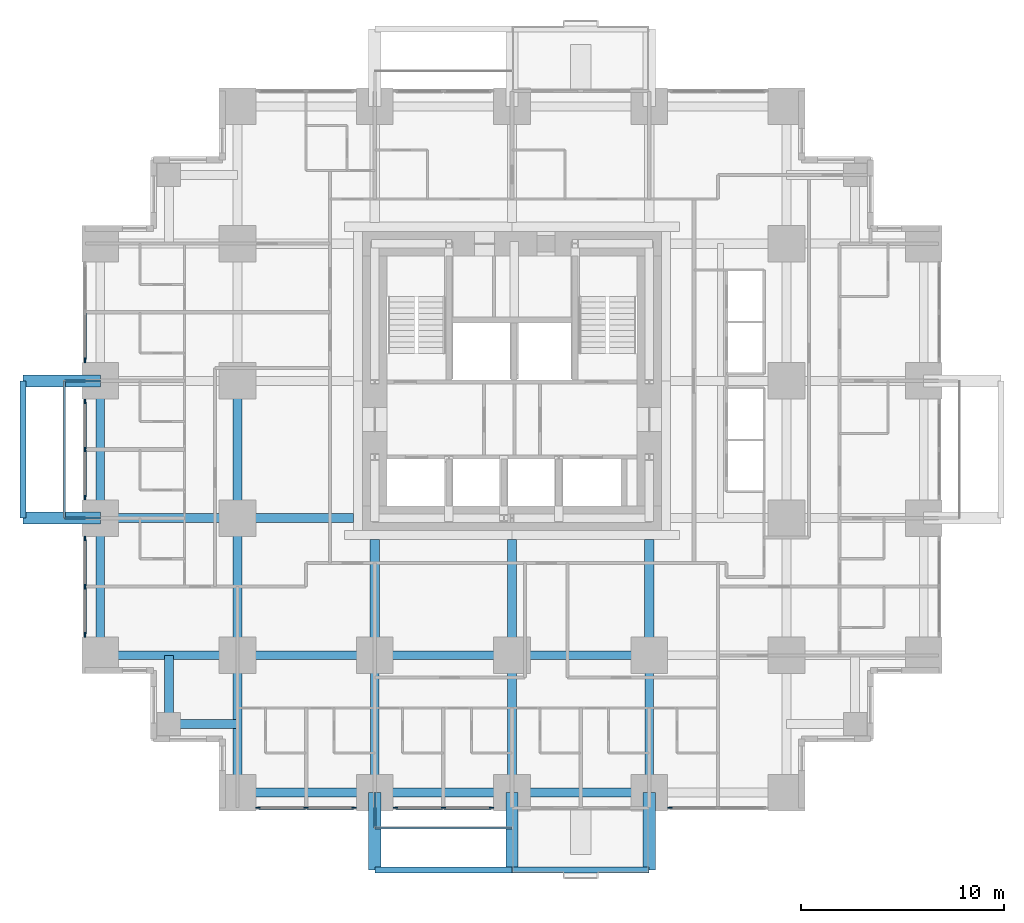
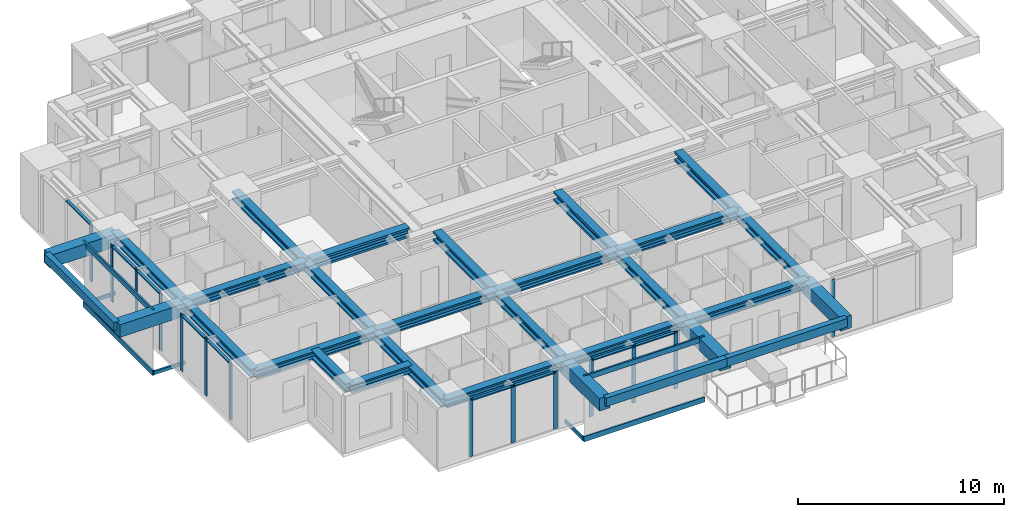
# One storey, part 2 of 13: 30 beams, 30 members, 6 elements without a shape of their own.
"""IFC4 building model written with IfcOpenShell, lengths in metres."""

from ifc_helpers import new_model, si_unit, direction, frame, origin, origin_2d, place, context, subcontext, project, spatial, rectangle, hollow_rectangle, i_section, extrude, material, material_profile, profile_set, type_object, element, aggregate, save


model = new_model("IFC4")

# Units and contexts
model_context = context("Model", 3, precision=1e-05, world=origin(), true_north=direction((0.0, 1.0)))
body_context = subcontext(model_context, "Body", "Model", "MODEL_VIEW")
ifc_project = project(units=[si_unit("LENGTHUNIT", "METRE"), si_unit("AREAUNIT", "SQUARE_METRE"), si_unit("VOLUMEUNIT", "CUBIC_METRE"), si_unit("PLANEANGLEUNIT", "RADIAN"), si_unit("MASSUNIT", "GRAM", prefix="KILO")], contexts=[model_context])

# Site, building, storey
site_placement = place(None, origin())
site = spatial("IfcSite", under=ifc_project, at=site_placement, CompositionType="ELEMENT")
building_placement = place(site_placement, origin())
building = spatial("IfcBuilding", under=site, at=building_placement, Name="Nyansa Garden Tower", CompositionType="ELEMENT")
storey_placement = place(building_placement, frame((0.0, 0.0, 105.300048828125)))
storey = spatial("IfcBuildingStorey", under=building, at=storey_placement, Name="L28", CompositionType="ELEMENT", Elevation=105.300048828125)

# Beams
ifc_material_1 = material(Name="Concrete C70/85", Category="concrete")
ifc_material_profile_1 = material_profile(ifc_material_1, rectangle(XDim=0.60009765625, YDim=0.75, at=origin_2d()), Name="RC 600x750")
ifc_profile_set_1 = profile_set([ifc_material_profile_1], Name="Concrete C70/85")
beam_type_1 = type_object("IfcBeamType", Name="Balcony cantilever beam CB1 RC 600x750", PredefinedType="BEAM", material=ifc_profile_set_1)
for number, where, z_axis, x_axis, name in (
    (1, (13.5, 0.0, 2.98486328125), (0.0, -1.0, 0.0), (1.0, 0.0, 0.0), "Balcony cantilever beam L29"),
    (2, (20.25, 0.0, 2.98486328125), (0.0, -1.0, 0.0), (1.0, 0.0, 0.0), "Balcony cantilever beam L29"),
    (3, (27.0, 0.0, 2.98486328125), (0.0, -1.0, 0.0), (1.0, 0.0, 0.0), "Balcony cantilever beam L29"),
    (4, (0.0, 13.5, 2.98486328125), (-1.0, 0.0, 0.0), (0.0, -1.0, 0.0), "Balcony cantilever beam L29"),
    (5, (0.0, 20.25, 2.98486328125), (-1.0, 0.0, 0.0), (0.0, -1.0, 0.0), "Balcony cantilever beam L29"),
):
    element("IfcBeam", number, at=place(storey_placement, frame(where, z_axis=z_axis, x_axis=x_axis)), inside=storey, type_object=beam_type_1, Name=name, PredefinedType="BEAM", context=body_context, shape_type="SweptSolid", body=[
        extrude(rectangle(XDim=0.60009765625, YDim=0.75, at=origin_2d()), origin(), (0.0, 0.0, 1.0), 3.800048828125),
    ])
ifc_material_2 = material(Name="Concrete C70/85", Category="concrete")
ifc_material_profile_2 = material_profile(ifc_material_2, rectangle(XDim=0.300048828125, YDim=0.5, at=origin_2d()), Name="RC 300x500")
ifc_profile_set_2 = profile_set([ifc_material_profile_2], Name="Concrete C70/85")
beam_type_2 = type_object("IfcBeamType", Name="Balcony edge beam BE1 RC 300x500", PredefinedType="BEAM", material=ifc_profile_set_2)
for number, where, z_axis, x_axis, name in (
    (6, (13.5, -3.800048828125, 3.10986328125), (1.0, 0.0, 0.0), (0.0, 1.0, 0.0), "Balcony edge beam L29"),
    (7, (20.25, -3.800048828125, 3.10986328125), (1.0, 0.0, 0.0), (0.0, 1.0, 0.0), "Balcony edge beam L29"),
    (8, (-3.800048828125, 13.5, 3.10986328125), (0.0, 1.0, 0.0), (-1.0, 0.0, 0.0), "Balcony edge beam L29"),
):
    element("IfcBeam", number, at=place(storey_placement, frame(where, z_axis=z_axis, x_axis=x_axis)), inside=storey, type_object=beam_type_2, Name=name, PredefinedType="BEAM", context=body_context, shape_type="SweptSolid", body=[
        extrude(rectangle(XDim=0.300048828125, YDim=0.5, at=origin_2d()), origin(), (0.0, 0.0, 1.0), 6.75),
    ])

# Curtain wall, member
ifc_material_3 = material(Name="Black anodised aluminium, dark tinted double glazing", Category="aluminium")
curtain_wall_type = type_object("IfcCurtainWallType", Name="Inner skin curtain wall ISW-B", PredefinedType="USERDEFINED", material=ifc_material_3)
curtain_wall_1_placement = place(storey_placement, origin())
curtain_wall_1 = element("IfcCurtainWall", 9, at=curtain_wall_1_placement, inside=storey, type_object=curtain_wall_type, Name="Inner skin curtain wall L28 W", ObjectType="UNITISED CURTAIN WALL", PredefinedType="USERDEFINED")
ifc_material_4 = material(Name="Black anodised aluminium", Category="aluminium")
ifc_material_profile_3 = material_profile(ifc_material_4, rectangle(XDim=0.06494140625, YDim=0.22509765625, at=origin_2d()), Name="Mullion 225x65")
ifc_profile_set_3 = profile_set([ifc_material_profile_3], Name="Black anodised aluminium")
member_type_1 = type_object("IfcMemberType", Name="Mullion ISW-B 225x65", PredefinedType="MULLION", material=ifc_profile_set_3)
member_1_placement = place(storey_placement, frame((-0.75, 21.262451171875, 0.0), z_axis=(0.0, 0.0, 1.0), x_axis=(1.0, 0.0, 0.0)))
member_1 = element("IfcMember", 10, at=member_1_placement, type_object=member_type_1, Name="ISW-B mullion 3", PredefinedType="MULLION", context=body_context, shape_type="SweptSolid", body=[
    extrude(rectangle(XDim=0.06494140625, YDim=0.22509765625, at=origin_2d()), origin(), (0.0, 0.0, 1.0), 3.375),
])

# Curtain wall, members
curtain_wall_2_placement = place(storey_placement, origin())
curtain_wall_2 = element("IfcCurtainWall", 11, at=curtain_wall_2_placement, inside=storey, type_object=curtain_wall_type, Name="Inner skin curtain wall L28 W", ObjectType="UNITISED CURTAIN WALL", PredefinedType="USERDEFINED")
member_2_placement = place(storey_placement, frame((-0.75, 19.237548828125, 0.0), z_axis=(0.0, 0.0, 1.0), x_axis=(1.0, 0.0, 0.0)))
member_2 = element("IfcMember", 12, at=member_2_placement, type_object=member_type_1, Name="ISW-B mullion 1", PredefinedType="MULLION", context=body_context, shape_type="SweptSolid", body=[
    extrude(rectangle(XDim=0.06494140625, YDim=0.22509765625, at=origin_2d()), origin(), (0.0, 0.0, 1.0), 3.375),
])
member_3_placement = place(storey_placement, frame((-0.75, 16.875, 0.0), z_axis=(0.0, 0.0, 1.0), x_axis=(1.0, 0.0, 0.0)))
member_3 = element("IfcMember", 13, at=member_3_placement, type_object=member_type_1, Name="ISW-B mullion 2", PredefinedType="MULLION", context=body_context, shape_type="SweptSolid", body=[
    extrude(rectangle(XDim=0.06494140625, YDim=0.22509765625, at=origin_2d()), origin(), (0.0, 0.0, 1.0), 3.375),
])
member_4_placement = place(storey_placement, frame((-0.75, 14.512451171875, 0.0), z_axis=(0.0, 0.0, 1.0), x_axis=(1.0, 0.0, 0.0)))
member_4 = element("IfcMember", 14, at=member_4_placement, type_object=member_type_1, Name="ISW-B mullion 3", PredefinedType="MULLION", context=body_context, shape_type="SweptSolid", body=[
    extrude(rectangle(XDim=0.06494140625, YDim=0.22509765625, at=origin_2d()), origin(), (0.0, 0.0, 1.0), 3.375),
])

curtain_wall_3_placement = place(storey_placement, origin())
curtain_wall_3 = element("IfcCurtainWall", 15, at=curtain_wall_3_placement, inside=storey, type_object=curtain_wall_type, Name="Inner skin curtain wall L28 W", ObjectType="UNITISED CURTAIN WALL", PredefinedType="USERDEFINED")
member_5_placement = place(storey_placement, frame((-0.75, 12.487548828125, 0.0), z_axis=(0.0, 0.0, 1.0), x_axis=(1.0, 0.0, 0.0)))
member_5 = element("IfcMember", 16, at=member_5_placement, type_object=member_type_1, Name="ISW-B mullion 1", PredefinedType="MULLION", context=body_context, shape_type="SweptSolid", body=[
    extrude(rectangle(XDim=0.06494140625, YDim=0.22509765625, at=origin_2d()), origin(), (0.0, 0.0, 1.0), 3.375),
])
member_6_placement = place(storey_placement, frame((-0.75, 10.125, 0.0), z_axis=(0.0, 0.0, 1.0), x_axis=(1.0, 0.0, 0.0)))
member_6 = element("IfcMember", 17, at=member_6_placement, type_object=member_type_1, Name="ISW-B mullion 2", PredefinedType="MULLION", context=body_context, shape_type="SweptSolid", body=[
    extrude(rectangle(XDim=0.06494140625, YDim=0.22509765625, at=origin_2d()), origin(), (0.0, 0.0, 1.0), 3.375),
])
member_7_placement = place(storey_placement, frame((-0.75, 7.762451171875, 0.0), z_axis=(0.0, 0.0, 1.0), x_axis=(1.0, 0.0, 0.0)))
member_7 = element("IfcMember", 18, at=member_7_placement, type_object=member_type_1, Name="ISW-B mullion 3", PredefinedType="MULLION", context=body_context, shape_type="SweptSolid", body=[
    extrude(rectangle(XDim=0.06494140625, YDim=0.22509765625, at=origin_2d()), origin(), (0.0, 0.0, 1.0), 3.375),
])

curtain_wall_4_placement = place(storey_placement, origin())
curtain_wall_4 = element("IfcCurtainWall", 19, at=curtain_wall_4_placement, inside=storey, type_object=curtain_wall_type, Name="Inner skin curtain wall L28 S", ObjectType="UNITISED CURTAIN WALL", PredefinedType="USERDEFINED")
member_8_placement = place(storey_placement, frame((7.762451171875, -0.75, 0.0), z_axis=(0.0, 0.0, 1.0), x_axis=(0.0, 1.0, 0.0)))
member_8 = element("IfcMember", 20, at=member_8_placement, type_object=member_type_1, Name="ISW-B mullion 1", PredefinedType="MULLION", context=body_context, shape_type="SweptSolid", body=[
    extrude(rectangle(XDim=0.06494140625, YDim=0.22509765625, at=origin_2d()), origin(), (0.0, 0.0, 1.0), 3.375),
])
member_9_placement = place(storey_placement, frame((10.125, -0.75, 0.0), z_axis=(0.0, 0.0, 1.0), x_axis=(0.0, 1.0, 0.0)))
member_9 = element("IfcMember", 21, at=member_9_placement, type_object=member_type_1, Name="ISW-B mullion 2", PredefinedType="MULLION", context=body_context, shape_type="SweptSolid", body=[
    extrude(rectangle(XDim=0.06494140625, YDim=0.22509765625, at=origin_2d()), origin(), (0.0, 0.0, 1.0), 3.375),
])
member_10_placement = place(storey_placement, frame((12.487548828125, -0.75, 0.0), z_axis=(0.0, 0.0, 1.0), x_axis=(0.0, 1.0, 0.0)))
member_10 = element("IfcMember", 22, at=member_10_placement, type_object=member_type_1, Name="ISW-B mullion 3", PredefinedType="MULLION", context=body_context, shape_type="SweptSolid", body=[
    extrude(rectangle(XDim=0.06494140625, YDim=0.22509765625, at=origin_2d()), origin(), (0.0, 0.0, 1.0), 3.375),
])

curtain_wall_5_placement = place(storey_placement, origin())
curtain_wall_5 = element("IfcCurtainWall", 23, at=curtain_wall_5_placement, inside=storey, type_object=curtain_wall_type, Name="Inner skin curtain wall L28 S", ObjectType="UNITISED CURTAIN WALL", PredefinedType="USERDEFINED")
member_11_placement = place(storey_placement, frame((14.512451171875, -0.75, 0.0), z_axis=(0.0, 0.0, 1.0), x_axis=(0.0, 1.0, 0.0)))
member_11 = element("IfcMember", 24, at=member_11_placement, type_object=member_type_1, Name="ISW-B mullion 1", PredefinedType="MULLION", context=body_context, shape_type="SweptSolid", body=[
    extrude(rectangle(XDim=0.06494140625, YDim=0.22509765625, at=origin_2d()), origin(), (0.0, 0.0, 1.0), 3.375),
])
member_12_placement = place(storey_placement, frame((16.875, -0.75, 0.0), z_axis=(0.0, 0.0, 1.0), x_axis=(0.0, 1.0, 0.0)))
member_12 = element("IfcMember", 25, at=member_12_placement, type_object=member_type_1, Name="ISW-B mullion 2", PredefinedType="MULLION", context=body_context, shape_type="SweptSolid", body=[
    extrude(rectangle(XDim=0.06494140625, YDim=0.22509765625, at=origin_2d()), origin(), (0.0, 0.0, 1.0), 3.375),
])
member_13_placement = place(storey_placement, frame((19.237548828125, -0.75, 0.0), z_axis=(0.0, 0.0, 1.0), x_axis=(0.0, 1.0, 0.0)))
member_13 = element("IfcMember", 26, at=member_13_placement, type_object=member_type_1, Name="ISW-B mullion 3", PredefinedType="MULLION", context=body_context, shape_type="SweptSolid", body=[
    extrude(rectangle(XDim=0.06494140625, YDim=0.22509765625, at=origin_2d()), origin(), (0.0, 0.0, 1.0), 3.375),
])

# Curtain wall, member
curtain_wall_6_placement = place(storey_placement, origin())
curtain_wall_6 = element("IfcCurtainWall", 27, at=curtain_wall_6_placement, inside=storey, type_object=curtain_wall_type, Name="Inner skin curtain wall L28 S", ObjectType="UNITISED CURTAIN WALL", PredefinedType="USERDEFINED")
member_14_placement = place(storey_placement, frame((28.012451171875, -0.75, 0.0), z_axis=(0.0, 0.0, 1.0), x_axis=(0.0, 1.0, 0.0)))
member_14 = element("IfcMember", 28, at=member_14_placement, type_object=member_type_1, Name="ISW-B mullion 1", PredefinedType="MULLION", context=body_context, shape_type="SweptSolid", body=[
    extrude(rectangle(XDim=0.06494140625, YDim=0.22509765625, at=origin_2d()), origin(), (0.0, 0.0, 1.0), 3.375),
])
aggregate(curtain_wall_6, [member_14])

# Members
ifc_material_5 = material(Name="Steel S355, black powder coated", Category="steel")
ifc_material_profile_4 = material_profile(ifc_material_5, hollow_rectangle(XDim=0.10009765625, YDim=0.199951171875, WallThickness=0.008056640625, at=origin_2d()), Name="RHS 200x100x8")
ifc_profile_set_4 = profile_set([ifc_material_profile_4], Name="Steel S355, black powder coated")
member_type_2 = type_object("IfcMemberType", Name="Outer skin bracket arm RHS 200x100x8", PredefinedType="USERDEFINED", material=ifc_profile_set_4)
for number, where, z_axis, x_axis, name in (
    (29, (0.0, 13.5, -0.375), (-1.0, 0.0, 0.0), (0.0, -1.0, 0.0), "Outer skin bracket arm"),
    (30, (0.0, 20.25, -0.375), (-1.0, 0.0, 0.0), (0.0, -1.0, 0.0), "Outer skin bracket arm"),
    (31, (13.5, 0.0, -0.375), (0.0, -1.0, 0.0), (1.0, 0.0, 0.0), "Outer skin bracket arm"),
):
    element("IfcMember", number, at=place(storey_placement, frame(where, z_axis=z_axis, x_axis=x_axis)), inside=storey, type_object=member_type_2, Name=name, ObjectType="OUTER SKIN BRACKET", PredefinedType="USERDEFINED", context=body_context, shape_type="SweptSolid", body=[
        extrude(hollow_rectangle(XDim=0.10009765625, YDim=0.199951171875, WallThickness=0.008056640625, at=origin_2d()), origin(), (0.0, 0.0, 1.0), 1.75),
    ])
ifc_material_6 = material(Name="Steel S355, black powder coated", Category="steel")
ifc_material_profile_5 = material_profile(ifc_material_6, hollow_rectangle(XDim=0.10009765625, YDim=0.300048828125, WallThickness=0.010009765625, at=origin_2d()), Name="RHS 300x100x10")
ifc_profile_set_5 = profile_set([ifc_material_profile_5], Name="Steel S355, black powder coated")
member_type_3 = type_object("IfcMemberType", Name="Outer skin rail RHS 300x100x10", PredefinedType="USERDEFINED", material=ifc_profile_set_5)
for number, where, z_axis, x_axis, name in (
    (32, (-1.75, 13.5, -0.375), (0.0, 1.0, 0.0), (-1.0, 0.0, 0.0), "Outer skin rail L28"),
    (33, (-1.75, 13.5, 3.224853515625), (0.0, 1.0, 0.0), (-1.0, 0.0, 0.0), "Outer skin rail L28 head"),
    (34, (13.5, -1.75, -0.375), (1.0, 0.0, 0.0), (0.0, 1.0, 0.0), "Outer skin rail L28"),
    (35, (13.5, -1.75, 3.224853515625), (1.0, 0.0, 0.0), (0.0, 1.0, 0.0), "Outer skin rail L28 head"),
):
    element("IfcMember", number, at=place(storey_placement, frame(where, z_axis=z_axis, x_axis=x_axis)), inside=storey, type_object=member_type_3, Name=name, ObjectType="OUTER SKIN RAIL", PredefinedType="USERDEFINED", context=body_context, shape_type="SweptSolid", body=[
        extrude(hollow_rectangle(XDim=0.10009765625, YDim=0.300048828125, WallThickness=0.010009765625, at=origin_2d()), origin(), (0.0, 0.0, 1.0), 6.75),
    ])

# Beams
ifc_material_7 = material(Name="Steel S355", Category="steel")
ifc_material_profile_6 = material_profile(ifc_material_7, i_section(OverallWidth=0.431884765625, OverallDepth=0.498046875, WebThickness=0.0556640625, FlangeThickness=0.0888671875, FilletRadius=0.014892578125, at=origin_2d()), Name="HD 400x744")
ifc_profile_set_6 = profile_set([ifc_material_profile_6], Name="Steel S355")
beam_type_3 = type_object("IfcBeamType", Name="Steel beam SBB1-744 HD 400x744", PredefinedType="BEAM", material=ifc_profile_set_6)
for number, where, z_axis, x_axis, name in (
    (36, (0.0, 6.75, 3.1259765625), (1.0, 0.0, 0.0), (0.0, 1.0, 0.0), "Steel beam 2/E-3/E L29"),
    (37, (0.0, 13.5, 3.1259765625), (1.0, 0.0, 0.0), (0.0, 1.0, 0.0), "Steel beam 2/F-3/F L29"),
    (38, (6.75, 0.0, 3.1259765625), (0.0, 1.0, 0.0), (-1.0, 0.0, 0.0), "Steel beam 3/D-3/E L29"),
    (39, (6.75, 6.75, 3.1259765625), (0.0, 1.0, 0.0), (-1.0, 0.0, 0.0), "Steel beam 3/E-3/F L29"),
    (40, (6.75, 6.75, 3.1259765625), (1.0, 0.0, 0.0), (0.0, 1.0, 0.0), "Steel beam 3/E-4/E L29"),
    (41, (6.75, 13.5, 3.1259765625), (0.0, 1.0, 0.0), (-1.0, 0.0, 0.0), "Steel beam 3/F-3/G L29"),
    (42, (13.5, 0.0, 3.1259765625), (0.0, 1.0, 0.0), (-1.0, 0.0, 0.0), "Steel beam 4/D-4/E L29"),
    (43, (13.5, 6.75, 3.1259765625), (1.0, 0.0, 0.0), (0.0, 1.0, 0.0), "Steel beam 4/E-5/E L29"),
    (44, (20.25, 0.0, 3.1259765625), (0.0, 1.0, 0.0), (-1.0, 0.0, 0.0), "Steel beam 5/D-5/E L29"),
    (45, (20.25, 6.75, 3.1259765625), (1.0, 0.0, 0.0), (0.0, 1.0, 0.0), "Steel beam 5/E-6/E L29"),
    (46, (27.0, 0.0, 3.1259765625), (0.0, 1.0, 0.0), (-1.0, 0.0, 0.0), "Steel beam 6/D-6/E L29"),
):
    element("IfcBeam", number, at=place(storey_placement, frame(where, z_axis=z_axis, x_axis=x_axis)), inside=storey, type_object=beam_type_3, Name=name, PredefinedType="BEAM", context=body_context, shape_type="SweptSolid", body=[
        extrude(i_section(OverallWidth=0.431884765625, OverallDepth=0.498046875, WebThickness=0.0556640625, FlangeThickness=0.0888671875, FilletRadius=0.014892578125, at=origin_2d()), origin(), (0.0, 0.0, 1.0), 6.75),
    ])
ifc_material_8 = material(Name="Steel S355", Category="steel")
ifc_material_profile_7 = material_profile(ifc_material_8, i_section(OverallWidth=0.4541015625, OverallDepth=0.569091796875, WebThickness=0.077880859375, FlangeThickness=0.125, FilletRadius=0.014892578125, at=origin_2d()), Name="HD 400x1086")
ifc_profile_set_7 = profile_set([ifc_material_profile_7], Name="Steel S355")
beam_type_4 = type_object("IfcBeamType", Name="Steel beam SCL-1086 HD 400x1086", PredefinedType="BEAM", material=ifc_profile_set_7)
for number, where, z_axis, x_axis, name in (
    (47, (6.75, 13.5, 3.09033203125), (1.0, 0.0, 0.0), (0.0, 1.0, 0.0), "Steel beam 3/F-12.450/F L29"),
    (48, (13.5, 6.75, 3.09033203125), (0.0, 1.0, 0.0), (-1.0, 0.0, 0.0), "Steel beam 4/E-4/12.450 L29"),
    (49, (20.25, 6.75, 3.09033203125), (0.0, 1.0, 0.0), (-1.0, 0.0, 0.0), "Steel beam 5/E-5/12.450 L29"),
    (50, (27.0, 6.75, 3.09033203125), (0.0, 1.0, 0.0), (-1.0, 0.0, 0.0), "Steel beam 6/E-6/12.450 L29"),
):
    element("IfcBeam", number, at=place(storey_placement, frame(where, z_axis=z_axis, x_axis=x_axis)), inside=storey, type_object=beam_type_4, Name=name, PredefinedType="BEAM", context=body_context, shape_type="SweptSolid", body=[
        extrude(i_section(OverallWidth=0.4541015625, OverallDepth=0.569091796875, WebThickness=0.077880859375, FlangeThickness=0.125, FilletRadius=0.014892578125, at=origin_2d()), origin(), (0.0, 0.0, 1.0), 5.699951171875),
    ])
ifc_material_9 = material(Name="Steel S355", Category="steel")
ifc_material_profile_8 = material_profile(ifc_material_9, i_section(OverallWidth=0.431884765625, OverallDepth=0.498046875, WebThickness=0.0556640625, FlangeThickness=0.0888671875, FilletRadius=0.014892578125, at=origin_2d()), Name="HD 400x744")
ifc_profile_set_8 = profile_set([ifc_material_profile_8], Name="Steel S355")
beam_type_5 = type_object("IfcBeamType", Name="Steel beam SEBB-744 HD 400x744", PredefinedType="BEAM", material=ifc_profile_set_8)
for number, where, z_axis, x_axis, name in (
    (51, (0.0, 6.75, 3.1259765625), (0.0, 1.0, 0.0), (-1.0, 0.0, 0.0), "Steel edge beam 2/E-2/F L29"),
    (52, (0.0, 13.5, 3.1259765625), (0.0, 1.0, 0.0), (-1.0, 0.0, 0.0), "Steel edge beam 2/F-2/G L29"),
    (53, (6.75, 0.0, 3.1259765625), (1.0, 0.0, 0.0), (0.0, 1.0, 0.0), "Steel edge beam 3/D-4/D L29"),
    (54, (13.5, 0.0, 3.1259765625), (1.0, 0.0, 0.0), (0.0, 1.0, 0.0), "Steel edge beam 4/D-5/D L29"),
    (55, (20.25, 0.0, 3.1259765625), (1.0, 0.0, 0.0), (0.0, 1.0, 0.0), "Steel edge beam 5/D-6/D L29"),
):
    element("IfcBeam", number, at=place(storey_placement, frame(where, z_axis=z_axis, x_axis=x_axis)), inside=storey, type_object=beam_type_5, Name=name, PredefinedType="BEAM", context=body_context, shape_type="SweptSolid", body=[
        extrude(i_section(OverallWidth=0.431884765625, OverallDepth=0.498046875, WebThickness=0.0556640625, FlangeThickness=0.0888671875, FilletRadius=0.014892578125, at=origin_2d()), origin(), (0.0, 0.0, 1.0), 6.75),
    ])
ifc_material_10 = material(Name="Steel S355", Category="steel")
ifc_material_profile_9 = material_profile(ifc_material_10, i_section(OverallWidth=0.431884765625, OverallDepth=0.498046875, WebThickness=0.0556640625, FlangeThickness=0.0888671875, FilletRadius=0.014892578125, at=origin_2d()), Name="HD 400x744")
ifc_profile_set_9 = profile_set([ifc_material_profile_9], Name="Steel S355")
beam_type_6 = type_object("IfcBeamType", Name="Steel beam SSB1-744 HD 400x744", PredefinedType="BEAM", material=ifc_profile_set_9)
for number, where, z_axis, x_axis, name in (
    (56, (3.375, 3.375, 3.1259765625), (0.0, 1.0, 0.0), (-1.0, 0.0, 0.0), "Steel step beam 3.375/3.375 L29"),
    (57, (3.375, 3.375, 3.1259765625), (1.0, 0.0, 0.0), (0.0, 1.0, 0.0), "Steel step beam 3.375/3.375 L29"),
):
    element("IfcBeam", number, at=place(storey_placement, frame(where, z_axis=z_axis, x_axis=x_axis)), inside=storey, type_object=beam_type_6, Name=name, PredefinedType="BEAM", context=body_context, shape_type="SweptSolid", body=[
        extrude(i_section(OverallWidth=0.431884765625, OverallDepth=0.498046875, WebThickness=0.0556640625, FlangeThickness=0.0888671875, FilletRadius=0.014892578125, at=origin_2d()), origin(), (0.0, 0.0, 1.0), 3.375),
    ])

# Member
ifc_material_11 = material(Name="Black anodised aluminium", Category="aluminium")
ifc_material_profile_10 = material_profile(ifc_material_11, rectangle(XDim=0.1650390625, YDim=0.06494140625, at=origin_2d()), Name="Transom 165x65")
ifc_profile_set_10 = profile_set([ifc_material_profile_10], Name="Black anodised aluminium")
member_type_4 = type_object("IfcMemberType", Name="Transom ISW-B 165x65", PredefinedType="USERDEFINED", material=ifc_profile_set_10)
member_15_placement = place(storey_placement, frame((-0.75, 23.592529296875, 3.342529296875), z_axis=(0.0, -1.0, 0.0), x_axis=(1.0, 0.0, 0.0)))
member_15 = element("IfcMember", 58, at=member_15_placement, type_object=member_type_4, Name="ISW-B transom 2", ObjectType="TRANSOM", PredefinedType="USERDEFINED", context=body_context, shape_type="SweptSolid", body=[
    extrude(rectangle(XDim=0.1650390625, YDim=0.06494140625, at=origin_2d()), origin(), (0.0, 0.0, 1.0), 2.297607421875),
])

aggregate(curtain_wall_1, [member_1, member_15])

member_16_placement = place(storey_placement, frame((-0.75, 19.205078125, 3.342529296875), z_axis=(0.0, -1.0, 0.0), x_axis=(1.0, 0.0, 0.0)))
member_16 = element("IfcMember", 59, at=member_16_placement, type_object=member_type_4, Name="ISW-B transom 1", ObjectType="TRANSOM", PredefinedType="USERDEFINED", context=body_context, shape_type="SweptSolid", body=[
    extrude(rectangle(XDim=0.1650390625, YDim=0.06494140625, at=origin_2d()), origin(), (0.0, 0.0, 1.0), 2.297607421875),
])

member_17_placement = place(storey_placement, frame((-0.75, 16.842529296875, 3.342529296875), z_axis=(0.0, -1.0, 0.0), x_axis=(1.0, 0.0, 0.0)))
member_17 = element("IfcMember", 60, at=member_17_placement, type_object=member_type_4, Name="ISW-B transom 2", ObjectType="TRANSOM", PredefinedType="USERDEFINED", context=body_context, shape_type="SweptSolid", body=[
    extrude(rectangle(XDim=0.1650390625, YDim=0.06494140625, at=origin_2d()), origin(), (0.0, 0.0, 1.0), 2.297607421875),
])

aggregate(curtain_wall_2, [member_2, member_3, member_4, member_16, member_17])

member_18_placement = place(storey_placement, frame((-0.75, 12.455078125, 3.342529296875), z_axis=(0.0, -1.0, 0.0), x_axis=(1.0, 0.0, 0.0)))
member_18 = element("IfcMember", 61, at=member_18_placement, type_object=member_type_4, Name="ISW-B transom 1", ObjectType="TRANSOM", PredefinedType="USERDEFINED", context=body_context, shape_type="SweptSolid", body=[
    extrude(rectangle(XDim=0.1650390625, YDim=0.06494140625, at=origin_2d()), origin(), (0.0, 0.0, 1.0), 2.297607421875),
])

member_19_placement = place(storey_placement, frame((-0.75, 10.092529296875, 3.342529296875), z_axis=(0.0, -1.0, 0.0), x_axis=(1.0, 0.0, 0.0)))
member_19 = element("IfcMember", 62, at=member_19_placement, type_object=member_type_4, Name="ISW-B transom 2", ObjectType="TRANSOM", PredefinedType="USERDEFINED", context=body_context, shape_type="SweptSolid", body=[
    extrude(rectangle(XDim=0.1650390625, YDim=0.06494140625, at=origin_2d()), origin(), (0.0, 0.0, 1.0), 2.297607421875),
])

aggregate(curtain_wall_3, [member_5, member_6, member_7, member_18, member_19])

member_20_placement = place(storey_placement, frame((7.794921875, -0.75, 3.342529296875), z_axis=(1.0, 0.0, 0.0), x_axis=(0.0, 1.0, 0.0)))
member_20 = element("IfcMember", 63, at=member_20_placement, type_object=member_type_4, Name="ISW-B transom 1", ObjectType="TRANSOM", PredefinedType="USERDEFINED", context=body_context, shape_type="SweptSolid", body=[
    extrude(rectangle(XDim=0.1650390625, YDim=0.06494140625, at=origin_2d()), origin(), (0.0, 0.0, 1.0), 2.297607421875),
])

member_21_placement = place(storey_placement, frame((10.157470703125, -0.75, 3.342529296875), z_axis=(1.0, 0.0, 0.0), x_axis=(0.0, 1.0, 0.0)))
member_21 = element("IfcMember", 64, at=member_21_placement, type_object=member_type_4, Name="ISW-B transom 2", ObjectType="TRANSOM", PredefinedType="USERDEFINED", context=body_context, shape_type="SweptSolid", body=[
    extrude(rectangle(XDim=0.1650390625, YDim=0.06494140625, at=origin_2d()), origin(), (0.0, 0.0, 1.0), 2.297607421875),
])

aggregate(curtain_wall_4, [member_8, member_9, member_10, member_20, member_21])

member_22_placement = place(storey_placement, frame((14.544921875, -0.75, 3.342529296875), z_axis=(1.0, 0.0, 0.0), x_axis=(0.0, 1.0, 0.0)))
member_22 = element("IfcMember", 65, at=member_22_placement, type_object=member_type_4, Name="ISW-B transom 1", ObjectType="TRANSOM", PredefinedType="USERDEFINED", context=body_context, shape_type="SweptSolid", body=[
    extrude(rectangle(XDim=0.1650390625, YDim=0.06494140625, at=origin_2d()), origin(), (0.0, 0.0, 1.0), 2.297607421875),
])

member_23_placement = place(storey_placement, frame((16.907470703125, -0.75, 3.342529296875), z_axis=(1.0, 0.0, 0.0), x_axis=(0.0, 1.0, 0.0)))
member_23 = element("IfcMember", 66, at=member_23_placement, type_object=member_type_4, Name="ISW-B transom 2", ObjectType="TRANSOM", PredefinedType="USERDEFINED", context=body_context, shape_type="SweptSolid", body=[
    extrude(rectangle(XDim=0.1650390625, YDim=0.06494140625, at=origin_2d()), origin(), (0.0, 0.0, 1.0), 2.297607421875),
])

aggregate(curtain_wall_5, [member_11, member_12, member_13, member_22, member_23])

save(model, "model.ifc")
